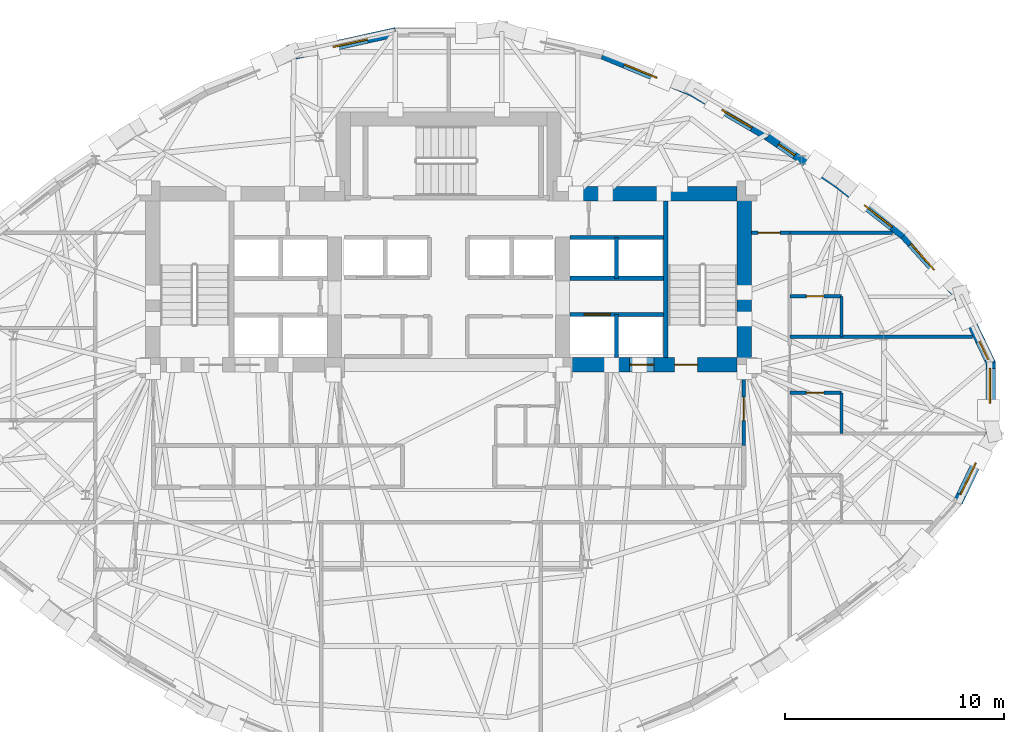
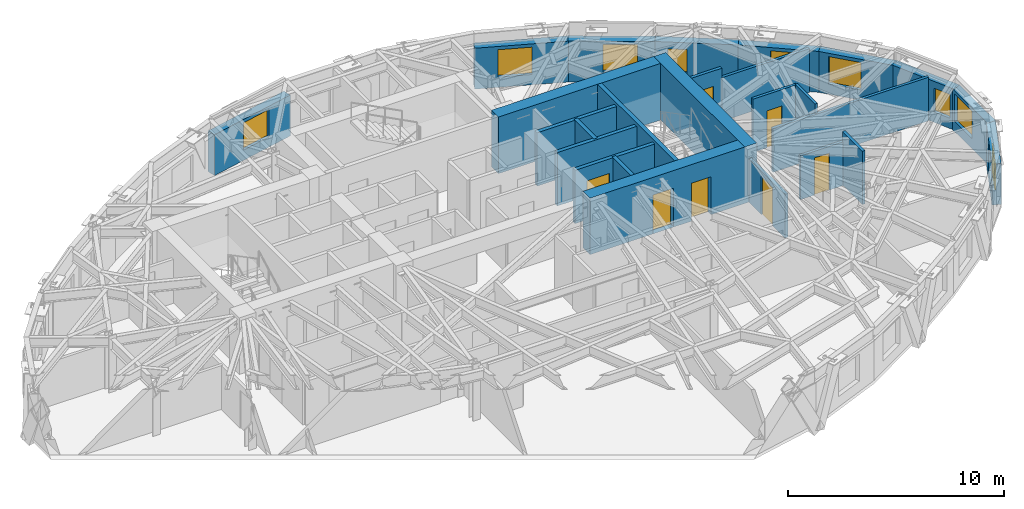
# One storey, part 9 of 14: 26 walls, 9 windows, 7 doors, 16 openings.
"""IFC4 building model written with IfcOpenShell, lengths in metres."""

import ifcopenshell
import ifcopenshell.guid

model = None  # the IFC model being written
_history = None  # IfcOwnerHistory: only IFC2X3 demands one
_inside = {}  # id of a spatial element -> (the spatial element, [elements in it])
_under = {}  # id of a project, library or spatial element -> (it, [spatial elements below it])
_declared = {}  # id of a project -> (the project, [libraries it declares])
_typed = {}  # id of a type object -> (the type object, [elements of that type])
_made_of = {}  # id of a material, layer set ... -> (it, [elements and type objects made of it])


def new_model(schema):
    """Start an empty IFC model of exactly this schema.

    Asked for "IFC4X3", IfcOpenShell would pick the latest addendum, in which some entities
    have other attributes; the version numbers below select the first issue.
    IFC2X3 requires an IfcOwnerHistory on every rooted entity: one is made here for all.
    """
    global model, _history
    if schema == "IFC4X3":
        model = ifcopenshell.file(schema_version=(4, 3, 0, 0))
    else:
        model = ifcopenshell.file(schema=schema)
    _inside.clear()
    _under.clear()
    _declared.clear()
    _typed.clear()
    _made_of.clear()
    _history = None
    if model.schema == "IFC2X3":
        org = make("IfcOrganization", Name="unknown")
        user = make(
            "IfcPersonAndOrganization",
            ThePerson=make("IfcPerson", FamilyName="unknown"),
            TheOrganization=org,
        )
        app = make(
            "IfcApplication",
            ApplicationDeveloper=org,
            Version="unknown",
            ApplicationFullName="unknown",
            ApplicationIdentifier="unknown",
        )
        _history = make(
            "IfcOwnerHistory",
            OwningUser=user,
            OwningApplication=app,
            ChangeAction="ADDED",
            CreationDate=0,
        )
    return model


def make(cls, **values):
    """One entity of the class cls with the attributes given. An attribute that is None is left unset."""
    return model.create_entity(
        cls, **{name: value for name, value in values.items() if value is not None}
    )


def rooted(cls, **values):
    """An entity with a GlobalId (a new one), such as an element, a storey or a relation."""
    return make(cls, GlobalId=ifcopenshell.guid.new(), OwnerHistory=_history, **values)


def si_unit(unit_type, name, prefix=None):
    """IfcSIUnit, for example si_unit("LENGTHUNIT", "METRE", prefix="MILLI")."""
    return make("IfcSIUnit", UnitType=unit_type, Prefix=prefix, Name=name)


def assignment(units):
    """IfcUnitAssignment: the units of a project."""
    return None if units is None else make("IfcUnitAssignment", Units=units)


def point(xyz):
    """IfcCartesianPoint."""
    return None if xyz is None else make("IfcCartesianPoint", Coordinates=xyz)


def direction(xyz):
    """IfcDirection."""
    return None if xyz is None else make("IfcDirection", DirectionRatios=xyz)


def frame(location, z_axis=None, x_axis=None):
    """IfcAxis2Placement3D, a coordinate frame: its origin and axes. An axis left out is left unset."""
    return make(
        "IfcAxis2Placement3D",
        Location=point(location),
        Axis=direction(z_axis),
        RefDirection=direction(x_axis),
    )


def frame_2d(location, x_axis=None):
    """IfcAxis2Placement2D, a coordinate frame in the plane: its origin and x axis."""
    return make(
        "IfcAxis2Placement2D", Location=point(location), RefDirection=direction(x_axis)
    )


def origin():
    """The frame at (0, 0, 0) with its axes left unset."""
    return frame((0.0, 0.0, 0.0))


def place(relative_to, where):
    """IfcLocalPlacement: puts the frame where relative to a parent placement (None: the world)."""
    return make(
        "IfcLocalPlacement", PlacementRelTo=relative_to, RelativePlacement=where
    )


def context(
    kind, dimensions, precision=None, world=None, true_north=None, identifier=None
):
    """IfcGeometricRepresentationContext, for example the 3D "Model" context."""
    return make(
        "IfcGeometricRepresentationContext",
        ContextIdentifier=identifier,
        ContextType=kind,
        CoordinateSpaceDimension=dimensions,
        Precision=precision,
        WorldCoordinateSystem=world,
        TrueNorth=true_north,
    )


def subcontext(parent, identifier, kind, view, scale=None):
    """IfcGeometricRepresentationSubContext, for example "Body" below "Model"."""
    return make(
        "IfcGeometricRepresentationSubContext",
        ContextIdentifier=identifier,
        ContextType=kind,
        ParentContext=parent,
        TargetScale=scale,
        TargetView=view,
    )


def project(units=None, contexts=None):
    """IfcProject with its units and contexts."""
    return rooted(
        "IfcProject",
        Name="project",
        RepresentationContexts=contexts,
        UnitsInContext=assignment(units),
    )


def spatial(cls, under=None, at=None, **own):
    """A site, building, storey or space (cls), placed at a placement, below another one or the project."""
    s = rooted(cls, ObjectPlacement=at, **own)
    if under is not None:
        _under.setdefault(under.id(), (under, []))[1].append(s)
    return s


def profile(cls, at=None, kind="AREA", **sizes):
    """A parametric profile (cls). Its sizes go by their IFC names, for example OverallWidth=200.0."""
    return make(cls, ProfileType=kind, Position=at, **sizes)


def rectangle(**sizes):
    """IfcRectangleProfileDef."""
    return profile("IfcRectangleProfileDef", **sizes)


def extrude(swept, where, along, depth):
    """IfcExtrudedAreaSolid: the profile swept, set in the frame where, extruded along a direction by depth."""
    return make(
        "IfcExtrudedAreaSolid",
        SweptArea=swept,
        Position=where,
        ExtrudedDirection=direction(along),
        Depth=depth,
    )


def shape(context_of_items, identifier, shape_type, items):
    """IfcShapeRepresentation: the items that make up one representation, for example the "Body"."""
    return make(
        "IfcShapeRepresentation",
        ContextOfItems=context_of_items,
        RepresentationIdentifier=identifier,
        RepresentationType=shape_type,
        Items=items,
    )


def material(Name=None, Category=None):
    """IfcMaterial."""
    return make("IfcMaterial", Name=Name, Category=Category)


def layer(
    of_material, thickness, ventilated=None, Name=None, Category=None, Priority=None
):
    """IfcMaterialLayer: one layer of a wall or slab, of a material (None: an air gap)."""
    return make(
        "IfcMaterialLayer",
        Material=of_material,
        LayerThickness=thickness,
        IsVentilated=ventilated,
        Name=Name,
        Category=Category,
        Priority=Priority,
    )


def layer_set(layers, Name=None):
    """IfcMaterialLayerSet."""
    return make("IfcMaterialLayerSet", MaterialLayers=layers, LayerSetName=Name)


def made_of(thing, what):
    """Note that an element or type object is made of a material, layer set ...; save() writes the relation."""
    if what is not None:
        _made_of.setdefault(what.id(), (what, []))[1].append(thing)
    return thing


def type_object(cls, material=None, **own):
    """A type object (cls), such as IfcWallType, which elements share."""
    return made_of(rooted(cls, **own), material)


def element(
    cls,
    number,
    at=None,
    inside=None,
    cuts=None,
    type_object=None,
    material=None,
    context=None,
    identifier="Body",
    shape_type=None,
    held_by="IfcProductDefinitionShape",
    body=None,
    shapes=None,
    **own,
):
    """One element of the class cls, such as IfcWall. Its Tag is "e" and its number.

    at: its placement. inside: the storey or other place that contains it. cuts: it is an
    opening in that element (IfcRelVoidsElement). A single representation is given by context,
    identifier, shape_type and body (its items); several are given by shapes. held_by: the class
    of the entity that holds the representations. save() writes the other relations.
    """
    e = rooted(cls, Tag="e%d" % number, ObjectPlacement=at, **own)
    if body is not None:
        shapes = [shape(context, identifier, shape_type, body)]
    if shapes is not None:
        e.Representation = make(held_by, Representations=shapes)
    if inside is not None:
        _inside.setdefault(inside.id(), (inside, []))[1].append(e)
    if cuts is not None:
        rooted(
            "IfcRelVoidsElement", RelatingBuildingElement=cuts, RelatedOpeningElement=e
        )
    if type_object is not None:
        _typed.setdefault(type_object.id(), (type_object, []))[1].append(e)
    return made_of(e, material)


def fill(opening, filler):
    """IfcRelFillsElement: the door or window that sits in an opening."""
    return rooted(
        "IfcRelFillsElement",
        RelatingOpeningElement=opening,
        RelatedBuildingElement=filler,
    )


def aggregate(whole, parts):
    """IfcRelAggregates: a whole, such as a stair, and the parts it consists of."""
    return rooted("IfcRelAggregates", RelatingObject=whole, RelatedObjects=parts)


def save(model, path):
    """Write the relations noted so far, then the file.

    IfcRelAggregates (storeys below a building ...), IfcRelContainedInSpatialStructure (elements
    in a storey), IfcRelDefinesByType, IfcRelAssociatesMaterial and IfcRelDeclares: one each for
    every whole, place, type object, material and project.
    """
    for whole, parts in _under.values():
        aggregate(whole, parts)
    for where, things in _inside.values():
        rooted(
            "IfcRelContainedInSpatialStructure",
            RelatedElements=things,
            RelatingStructure=where,
        )
    for kind, things in _typed.values():
        rooted("IfcRelDefinesByType", RelatedObjects=things, RelatingType=kind)
    for what, things in _made_of.values():
        rooted("IfcRelAssociatesMaterial", RelatedObjects=things, RelatingMaterial=what)
    for by, libraries in _declared.values():
        rooted("IfcRelDeclares", RelatingContext=by, RelatedDefinitions=libraries)
    model.write(path)


model = new_model("IFC4")

# Units and contexts
model_context = context("Model", 3, precision=1e-05, world=origin(), true_north=direction((0.0, 1.0)))
body_context = subcontext(model_context, "Body", "Model", "MODEL_VIEW")
ifc_project = project(units=[si_unit("LENGTHUNIT", "METRE"), si_unit("AREAUNIT", "SQUARE_METRE"), si_unit("VOLUMEUNIT", "CUBIC_METRE"), si_unit("PLANEANGLEUNIT", "RADIAN"), si_unit("MASSUNIT", "GRAM", prefix="KILO")], contexts=[model_context])

# Site, building, storey
site_placement = place(None, origin())
site = spatial("IfcSite", under=ifc_project, at=site_placement, CompositionType="ELEMENT")
building_placement = place(site_placement, origin())
building = spatial("IfcBuilding", under=site, at=building_placement, Name="Keldmark Tower", CompositionType="ELEMENT")
storey_placement = place(building_placement, frame((0.0, 0.0, 185.39990234375)))
storey = spatial("IfcBuildingStorey", under=building, at=storey_placement, Name="L51", CompositionType="ELEMENT", Elevation=185.39990234375)

# Wall, opening, door
ifc_material_1 = material(Name="Type X Fire-Rated Gypsum Partition Assembly", Category="gypsum")
ifc_layer_1 = layer(ifc_material_1, 0.1650390625)
ifc_layer_set_1 = layer_set([ifc_layer_1], Name="Type X Fire-Rated Gypsum Partition Assembly")
wall_type_1 = type_object("IfcWallType", Name="Rated Partition 165 mm", PredefinedType="PARTITIONING", material=ifc_layer_set_1)
wall_1_placement = place(storey_placement, frame((13.449951171875, -2.14990234375, 0.0), z_axis=(0.0, 0.0, 1.0), x_axis=(0.0, 1.0, 0.0)))
wall_1 = element("IfcWall", 1, at=wall_1_placement, inside=storey, type_object=wall_type_1, Name="L51 Rated Partition 165 mm FSAE-E-E", PredefinedType="PARTITIONING", context=body_context, shape_type="SweptSolid", body=[
    extrude(rectangle(XDim=3.39990234375, YDim=0.1650390625, at=frame_2d((1.699951171875, 0.0))), origin(), (0.0, 0.0, 1.0), 2.47314453125),
])
opening_1_placement = place(wall_1_placement, frame((1.14990234375, 0.0, 0.0)))
opening_1 = element("IfcOpeningElement", 2, at=opening_1_placement, cuts=wall_1, Name="Opening D-FL105", PredefinedType="OPENING", context=body_context, shape_type="SweptSolid", body=[
    extrude(rectangle(XDim=1.050048828125, YDim=2.14990234375, at=frame_2d((0.52490234375, 1.074951171875))), frame((0.0, 0.092529296875, 0.0), z_axis=(0.0, -1.0, 0.0), x_axis=(1.0, 0.0, 0.0)), (0.0, 0.0, 1.0), 0.18505859375),
])
ifc_material_2 = material(Name="Fire-Rated Mineral-Core Door and Vision Lite", Category="metal")
door_type_1 = type_object("IfcDoorType", Name="Fire Lobby Door 1050x2150", OperationType="NOTDEFINED", PredefinedType="DOOR", material=ifc_material_2)
door_1_placement = place(opening_1_placement, origin())
door_1 = element("IfcDoor", 3, at=door_1_placement, inside=storey, type_object=door_type_1, Name="L51 Fire Lobby Door 1050x2150 D-FSAEE-OUT-L51", OperationType="SINGLE_SWING_LEFT", OverallHeight=2.14990234375, OverallWidth=1.050048828125, PredefinedType="DOOR", context=body_context, shape_type="SweptSolid", body=[
    extrude(rectangle(XDim=1.050048828125, YDim=2.14990234375, at=frame_2d((0.52490234375, 1.074951171875))), frame((0.0, 0.02490234375, 0.0), z_axis=(0.0, -1.0, 0.0), x_axis=(1.0, 0.0, 0.0)), (0.0, 0.0, 1.0), 0.050048828125),
])
fill(opening_1, door_1)

wall_2_placement = place(storey_placement, frame((13.800048828125, 7.550048828125, 0.0), z_axis=(0.0, 0.0, 1.0), x_axis=(1.0, 0.0, 0.0)))
wall_2 = element("IfcWall", 4, at=wall_2_placement, inside=storey, type_object=wall_type_1, Name="L51 Rated Partition 165 mm HCOR-EN", PredefinedType="PARTITIONING", context=body_context, shape_type="SweptSolid", body=[
    extrude(rectangle(XDim=1.75, YDim=0.1650390625, at=frame_2d((0.875, 0.0))), origin(), (0.0, 0.0, 1.0), 3.02001953125),
])
opening_2_placement = place(wall_2_placement, frame((0.300048828125, 0.0, 0.0)))
opening_2 = element("IfcOpeningElement", 5, at=opening_2_placement, cuts=wall_2, Name="Opening D-FD100", PredefinedType="OPENING", context=body_context, shape_type="SweptSolid", body=[
    extrude(rectangle(XDim=1.0, YDim=2.14990234375, at=frame_2d((0.5, 1.074951171875))), frame((0.0, 0.092529296875, 0.0), z_axis=(0.0, -1.0, 0.0), x_axis=(1.0, 0.0, 0.0)), (0.0, 0.0, 1.0), 0.18505859375),
])
ifc_material_3 = material(Name="Hollow Metal Fire-Rated Corridor Door", Category="metal")
door_type_2 = type_object("IfcDoorType", Name="Fire Door 1000x2150", OperationType="NOTDEFINED", PredefinedType="DOOR", material=ifc_material_3)
door_2_placement = place(opening_2_placement, origin())
door_2 = element("IfcDoor", 6, at=door_2_placement, inside=storey, type_object=door_type_2, Name="L51 Fire Door 1000x2150 D-HNNE-L51", OperationType="SINGLE_SWING_RIGHT", OverallHeight=2.14990234375, OverallWidth=1.0, PredefinedType="DOOR", context=body_context, shape_type="SweptSolid", body=[
    extrude(rectangle(XDim=1.0, YDim=2.14990234375, at=frame_2d((0.5, 1.074951171875))), frame((0.0, 0.02490234375, 0.0), z_axis=(0.0, -1.0, 0.0), x_axis=(1.0, 0.0, 0.0)), (0.0, 0.0, 1.0), 0.050048828125),
])
fill(opening_2, door_2)

ifc_material_4 = material(Name="Fire-Resistant Type X Gypsum Shaftliner Coreboard", Category="gypsum")
ifc_layer_2 = layer(ifc_material_4, 0.199951171875)
ifc_layer_set_2 = layer_set([ifc_layer_2], Name="Fire-Resistant Type X Gypsum Shaftliner Coreboard")
wall_type_2 = type_object("IfcWallType", Name="Shaft Wall 200 mm", PredefinedType="SOLIDWALL", material=ifc_layer_set_2)
wall_3_placement = place(storey_placement, frame((5.52490234375, 3.820068359375, 0.0), z_axis=(0.0, 0.0, 1.0), x_axis=(1.0, 0.0, 0.0)))
wall_3 = element("IfcWall", 7, at=wall_3_placement, inside=storey, type_object=wall_type_2, Name="L51 Shaft Wall 200 mm HW-E-S", PredefinedType="SOLIDWALL", context=body_context, shape_type="SweptSolid", body=[
    extrude(rectangle(XDim=4.255126953125, YDim=0.199951171875, at=frame_2d((2.12744140625, 0.0))), origin(), (0.0, 0.0, 1.0), 3.02001953125),
])
opening_3_placement = place(wall_3_placement, frame((0.64990234375, 0.0, 0.0)))
opening_3 = element("IfcOpeningElement", 8, at=opening_3_placement, cuts=wall_3, Name="Opening LD-120", PredefinedType="OPENING", context=body_context, shape_type="SweptSolid", body=[
    extrude(rectangle(XDim=1.199951171875, YDim=2.199951171875, at=frame_2d((0.60009765625, 1.10009765625))), frame((0.0, 0.10986328125, 0.0), z_axis=(0.0, -1.0, 0.0), x_axis=(1.0, 0.0, 0.0)), (0.0, 0.0, 1.0), 0.219970703125),
])
ifc_material_5 = material(Name="Heavy-Duty Brushed Metal Hoistway Sliding Leaf", Category="metal")
door_type_3 = type_object("IfcDoorType", Name="Service Lift Sliding Door 1200x2200", OperationType="SLIDING_TO_RIGHT", PredefinedType="DOOR", material=ifc_material_5)
door_3_placement = place(opening_3_placement, origin())
door_3 = element("IfcDoor", 9, at=door_3_placement, inside=storey, type_object=door_type_3, Name="L51 Service Lift Sliding Door 1200x2200 LD-EL-SV1-L51", OperationType="SLIDING_TO_RIGHT", OverallHeight=2.199951171875, OverallWidth=1.199951171875, PredefinedType="DOOR", context=body_context, shape_type="SweptSolid", body=[
    extrude(rectangle(XDim=1.199951171875, YDim=2.199951171875, at=frame_2d((0.60009765625, 1.10009765625))), frame((0.0, 0.02490234375, 0.0), z_axis=(0.0, -1.0, 0.0), x_axis=(1.0, 0.0, 0.0)), (0.0, 0.0, 1.0), 0.050048828125),
])
fill(opening_3, door_3)

# Walls
wall_4_placement = place(storey_placement, frame((7.64990234375, 1.85009765625, 0.0), z_axis=(0.0, 0.0, 1.0), x_axis=(0.0, 1.0, 0.0)))
element("IfcWall", 10, at=wall_4_placement, inside=storey, type_object=wall_type_2, Name="L51 Shaft Wall 200 mm HW-E-M", PredefinedType="SOLIDWALL", context=body_context, shape_type="SweptSolid", body=[
    extrude(rectangle(XDim=1.969970703125, YDim=0.199951171875, at=frame_2d((0.98486328125, 0.0))), origin(), (0.0, 0.0, 1.0), 3.02001953125),
])
for number, where, z_axis, x_axis, name in (
    (11, (5.52490234375, 5.469970703125, 0.0), (0.0, 0.0, 1.0), (1.0, 0.0, 0.0), "L51 Shaft Wall 200 mm HW-E-N"),
    (12, (5.52490234375, 7.330078125, 0.0), (0.0, 0.0, 1.0), (1.0, 0.0, 0.0), "L51 Shaft Wall 200 mm HW-E-TOP"),
):
    element("IfcWall", number, at=place(storey_placement, frame(where, z_axis=z_axis, x_axis=x_axis)), inside=storey, type_object=wall_type_2, Name=name, PredefinedType="SOLIDWALL", context=body_context, shape_type="SweptSolid", body=[
        extrude(rectangle(XDim=4.255126953125, YDim=0.199951171875, at=frame_2d((2.12744140625, 0.0))), origin(), (0.0, 0.0, 1.0), 3.02001953125),
    ])
wall_5_placement = place(storey_placement, frame((7.64990234375, 5.469970703125, 0.0), z_axis=(0.0, 0.0, 1.0), x_axis=(0.0, 1.0, 0.0)))
element("IfcWall", 13, at=wall_5_placement, inside=storey, type_object=wall_type_2, Name="L51 Shaft Wall 200 mm HW-E-NM", PredefinedType="SOLIDWALL", context=body_context, shape_type="SweptSolid", body=[
    extrude(rectangle(XDim=1.860107421875, YDim=0.199951171875, at=frame_2d((0.93017578125, 0.0))), origin(), (0.0, 0.0, 1.0), 3.02001953125),
])
ifc_material_6 = material(Name="Concrete C50/60", Category="concrete")
ifc_layer_3 = layer(ifc_material_6, 0.219970703125)
ifc_layer_set_3 = layer_set([ifc_layer_3], Name="Concrete C50/60")
wall_type_3 = type_object("IfcWallType", Name="Stair Core Shear Wall 220 mm", PredefinedType="SHEAR", material=ifc_layer_set_3)
wall_6_placement = place(storey_placement, frame((9.889892578125, 1.85009765625, 0.0), z_axis=(0.0, 0.0, 1.0), x_axis=(0.0, 1.0, 0.0)))
element("IfcWall", 14, at=wall_6_placement, inside=storey, type_object=wall_type_3, Name="L51 East Stair Core Shear Wall", PredefinedType="SHEAR", context=body_context, shape_type="SweptSolid", body=[
    extrude(rectangle(XDim=7.14990234375, YDim=0.219970703125, at=frame_2d((3.574951171875, 0.0))), origin(), (0.0, 0.0, 1.0), 3.2001953125),
])

# Wall, opening, window
ifc_material_7 = material(Name="Ironspot Manganese Brick and Kasota Buff Limestone Spandrel Assembly", Category="masonry")
ifc_layer_4 = layer(ifc_material_7, 0.43994140625)
ifc_layer_set_4 = layer_set([ifc_layer_4], Name="Ironspot Manganese Brick and Kasota Buff Limestone Spandrel Assembly")
wall_type_4 = type_object("IfcWallType", Name="Tower Brick Pier and Spandrel Wall 440 mm", PredefinedType="STANDARD", material=ifc_layer_set_4)
wall_7_placement = place(storey_placement, frame((23.21240234375, 4.718994140625, 0.0), z_axis=(0.0, 0.0, 1.0), x_axis=(0.43276286683, -0.90150779314, 0.0)))
wall_7 = element("IfcWall", 15, at=wall_7_placement, inside=storey, type_object=wall_type_4, Name="L51 Exterior Brick and Spandrel Wall 01", PredefinedType="STANDARD", context=body_context, shape_type="SweptSolid", body=[
    extrude(rectangle(XDim=3.494384765625, YDim=0.43994140625, at=frame_2d((1.7470703125, 0.0))), origin(), (0.0, 0.0, 1.0), 2.315185546875),
])
opening_4_placement = place(wall_7_placement, frame((2.344482421875, 0.0, 0.580078125)))
opening_4 = element("IfcOpeningElement", 16, at=opening_4_placement, cuts=wall_7, Name="Opening W-09", PredefinedType="OPENING", context=body_context, shape_type="SweptSolid", body=[
    extrude(rectangle(XDim=0.89990234375, YDim=1.35009765625, at=frame_2d((0.449951171875, 0.675048828125))), frame((0.0, 0.22998046875, 0.0), z_axis=(0.0, -1.0, 0.0), x_axis=(1.0, 0.0, 0.0)), (0.0, 0.0, 1.0), 0.4599609375),
])
ifc_material_8 = material(Name="Thermally Broken Anodized Aluminum and Triple Low-E Argon Glazing", Category="aluminium")
window_type_1 = type_object("IfcWindowType", Name="Corner Pier Deep-Set Window 900x1350", PartitioningType="SINGLE_PANEL", PredefinedType="WINDOW", material=ifc_material_8)
window_1_placement = place(opening_4_placement, origin())
window_1 = element("IfcWindow", 17, at=window_1_placement, inside=storey, type_object=window_type_1, Name="L51 Deep-Set Window 01", OverallHeight=1.35009765625, OverallWidth=0.89990234375, PartitioningType="SINGLE_PANEL", PredefinedType="WINDOW", context=body_context, shape_type="SweptSolid", body=[
    extrude(rectangle(XDim=0.89990234375, YDim=1.35009765625, at=frame_2d((0.449951171875, 0.675048828125))), frame((0.0, -0.010009765625, 0.0), z_axis=(0.0, -1.0, 0.0), x_axis=(1.0, 0.0, 0.0)), (0.0, 0.0, 1.0), 0.06005859375),
])
fill(opening_4, window_1)

wall_8_placement = place(storey_placement, frame((20.75927734375, 7.4345703125, 0.0), z_axis=(0.0, 0.0, 1.0), x_axis=(0.668547778607, -0.743669192396, 0.0)))
wall_8 = element("IfcWall", 18, at=wall_8_placement, inside=storey, type_object=wall_type_4, Name="L51 Exterior Brick and Spandrel Wall 02", PredefinedType="STANDARD", context=body_context, shape_type="SweptSolid", body=[
    extrude(rectangle(XDim=3.72119140625, YDim=0.43994140625, at=frame_2d((1.860595703125, 0.0))), origin(), (0.0, 0.0, 1.0), 2.315185546875),
])
opening_5_placement = place(wall_8_placement, frame((0.4951171875, 0.0, 0.580078125)))
opening_5 = element("IfcOpeningElement", 19, at=opening_5_placement, cuts=wall_8, Name="Opening W-04", PredefinedType="OPENING", context=body_context, shape_type="SweptSolid", body=[
    extrude(rectangle(XDim=1.60009765625, YDim=1.550048828125, at=frame_2d((0.800048828125, 0.77490234375))), frame((0.0, 0.22998046875, 0.0), z_axis=(0.0, -1.0, 0.0), x_axis=(1.0, 0.0, 0.0)), (0.0, 0.0, 1.0), 0.4599609375),
])
ifc_material_9 = material(Name="Thermally Broken Anodized Aluminum and Triple Low-E Argon Glazing", Category="aluminium")
window_type_2 = type_object("IfcWindowType", Name="Hotel Deep-Set Operable Window 1600x1550", PartitioningType="DOUBLE_PANEL_HORIZONTAL", PredefinedType="WINDOW", material=ifc_material_9)
window_2_placement = place(opening_5_placement, origin())
window_2 = element("IfcWindow", 20, at=window_2_placement, inside=storey, type_object=window_type_2, Name="L51 Deep-Set Window 02", OverallHeight=1.550048828125, OverallWidth=1.60009765625, PartitioningType="SINGLE_PANEL", PredefinedType="WINDOW", context=body_context, shape_type="SweptSolid", body=[
    extrude(rectangle(XDim=1.60009765625, YDim=1.550048828125, at=frame_2d((0.800048828125, 0.77490234375))), frame((0.0, -0.010009765625, 0.0), z_axis=(0.0, -1.0, 0.0), x_axis=(1.0, 0.0, 0.0)), (0.0, 0.0, 1.0), 0.06005859375),
])
fill(opening_5, window_2)

wall_9_placement = place(storey_placement, frame((17.755615234375, 9.78076171875, 0.0), z_axis=(0.0, 0.0, 1.0), x_axis=(0.787518383176, -0.616291161838, 0.0)))
wall_9 = element("IfcWall", 21, at=wall_9_placement, inside=storey, type_object=wall_type_4, Name="L51 Exterior Brick and Spandrel Wall 03", PredefinedType="STANDARD", context=body_context, shape_type="SweptSolid", body=[
    extrude(rectangle(XDim=3.849853515625, YDim=0.43994140625, at=frame_2d((1.9248046875, 0.0))), origin(), (0.0, 0.0, 1.0), 2.315185546875),
])
opening_6_placement = place(wall_9_placement, frame((1.5498046875, 0.0, 0.580078125)))
opening_6 = element("IfcOpeningElement", 22, at=opening_6_placement, cuts=wall_9, Name="Opening W-04", PredefinedType="OPENING", context=body_context, shape_type="SweptSolid", body=[
    extrude(rectangle(XDim=1.60009765625, YDim=1.550048828125, at=frame_2d((0.800048828125, 0.77490234375))), frame((0.0, 0.22998046875, 0.0), z_axis=(0.0, -1.0, 0.0), x_axis=(1.0, 0.0, 0.0)), (0.0, 0.0, 1.0), 0.4599609375),
])
window_3_placement = place(opening_6_placement, origin())
window_3 = element("IfcWindow", 23, at=window_3_placement, inside=storey, type_object=window_type_2, Name="L51 Deep-Set Window 03", OverallHeight=1.550048828125, OverallWidth=1.60009765625, PartitioningType="SINGLE_PANEL", PredefinedType="WINDOW", context=body_context, shape_type="SweptSolid", body=[
    extrude(rectangle(XDim=1.60009765625, YDim=1.550048828125, at=frame_2d((0.800048828125, 0.77490234375))), frame((0.0, -0.010009765625, 0.0), z_axis=(0.0, -1.0, 0.0), x_axis=(1.0, 0.0, 0.0)), (0.0, 0.0, 1.0), 0.06005859375),
])
fill(opening_6, window_3)

wall_10_placement = place(storey_placement, frame((14.5595703125, 11.94677734375, 0.0), z_axis=(0.0, 0.0, 1.0), x_axis=(0.82774221662, -0.561108565988, 0.0)))
wall_10 = element("IfcWall", 24, at=wall_10_placement, inside=storey, type_object=wall_type_4, Name="L51 Exterior Brick and Spandrel Wall 04", PredefinedType="STANDARD", context=body_context, shape_type="SweptSolid", body=[
    extrude(rectangle(XDim=3.8759765625, YDim=0.43994140625, at=frame_2d((1.93798828125, 0.0))), origin(), (0.0, 0.0, 1.0), 2.315185546875),
])
opening_7_placement = place(wall_10_placement, frame((0.59619140625, 0.0, 0.580078125)))
opening_7 = element("IfcOpeningElement", 25, at=opening_7_placement, cuts=wall_10, Name="Opening W-09", PredefinedType="OPENING", context=body_context, shape_type="SweptSolid", body=[
    extrude(rectangle(XDim=0.89990234375, YDim=1.35009765625, at=frame_2d((0.449951171875, 0.675048828125))), frame((0.0, 0.22998046875, 0.0), z_axis=(0.0, -1.0, 0.0), x_axis=(1.0, 0.0, 0.0)), (0.0, 0.0, 1.0), 0.4599609375),
])
window_4_placement = place(opening_7_placement, origin())
window_4 = element("IfcWindow", 26, at=window_4_placement, inside=storey, type_object=window_type_1, Name="L51 Deep-Set Window 04", OverallHeight=1.35009765625, OverallWidth=0.89990234375, PartitioningType="SINGLE_PANEL", PredefinedType="WINDOW", context=body_context, shape_type="SweptSolid", body=[
    extrude(rectangle(XDim=0.89990234375, YDim=1.35009765625, at=frame_2d((0.449951171875, 0.675048828125))), frame((0.0, -0.010009765625, 0.0), z_axis=(0.0, -1.0, 0.0), x_axis=(1.0, 0.0, 0.0)), (0.0, 0.0, 1.0), 0.06005859375),
])
fill(opening_7, window_4)

wall_11_placement = place(storey_placement, frame((11.072021484375, 13.99462890625, 0.0), z_axis=(0.0, 0.0, 1.0), x_axis=(0.862269598443, -0.506449542995, 0.0)))
wall_11 = element("IfcWall", 27, at=wall_11_placement, inside=storey, type_object=wall_type_4, Name="L51 Exterior Brick and Spandrel Wall 05", PredefinedType="STANDARD", context=body_context, shape_type="SweptSolid", body=[
    extrude(rectangle(XDim=4.05859375, YDim=0.43994140625, at=frame_2d((2.029296875, 0.0))), origin(), (0.0, 0.0, 1.0), 2.315185546875),
])
opening_8_placement = place(wall_11_placement, frame((1.621337890625, 0.0, 0.580078125)))
opening_8 = element("IfcOpeningElement", 28, at=opening_8_placement, cuts=wall_11, Name="Opening W-04", PredefinedType="OPENING", context=body_context, shape_type="SweptSolid", body=[
    extrude(rectangle(XDim=1.60009765625, YDim=1.550048828125, at=frame_2d((0.800048828125, 0.77490234375))), frame((0.0, 0.22998046875, 0.0), z_axis=(0.0, -1.0, 0.0), x_axis=(1.0, 0.0, 0.0)), (0.0, 0.0, 1.0), 0.4599609375),
])
window_5_placement = place(opening_8_placement, origin())
window_5 = element("IfcWindow", 29, at=window_5_placement, inside=storey, type_object=window_type_2, Name="L51 Deep-Set Window 05", OverallHeight=1.550048828125, OverallWidth=1.60009765625, PartitioningType="SINGLE_PANEL", PredefinedType="WINDOW", context=body_context, shape_type="SweptSolid", body=[
    extrude(rectangle(XDim=1.60009765625, YDim=1.550048828125, at=frame_2d((0.800048828125, 0.77490234375))), frame((0.0, -0.010009765625, 0.0), z_axis=(0.0, -1.0, 0.0), x_axis=(1.0, 0.0, 0.0)), (0.0, 0.0, 1.0), 0.06005859375),
])
fill(opening_8, window_5)

wall_12_placement = place(storey_placement, frame((7.017578125, 15.66748046875, 0.0), z_axis=(0.0, 0.0, 1.0), x_axis=(0.924224109839, -0.381850487486, 0.0)))
wall_12 = element("IfcWall", 30, at=wall_12_placement, inside=storey, type_object=wall_type_4, Name="L51 Exterior Brick and Spandrel Wall 06", PredefinedType="STANDARD", context=body_context, shape_type="SweptSolid", body=[
    extrude(rectangle(XDim=4.416748046875, YDim=0.43994140625, at=frame_2d((2.20849609375, 0.0))), origin(), (0.0, 0.0, 1.0), 2.315185546875),
])
opening_9_placement = place(wall_12_placement, frame((1.087646484375, 0.0, 0.580078125)))
opening_9 = element("IfcOpeningElement", 31, at=opening_9_placement, cuts=wall_12, Name="Opening W-04", PredefinedType="OPENING", context=body_context, shape_type="SweptSolid", body=[
    extrude(rectangle(XDim=1.60009765625, YDim=1.550048828125, at=frame_2d((0.800048828125, 0.77490234375))), frame((0.0, 0.22998046875, 0.0), z_axis=(0.0, -1.0, 0.0), x_axis=(1.0, 0.0, 0.0)), (0.0, 0.0, 1.0), 0.4599609375),
])
window_6_placement = place(opening_9_placement, origin())
window_6 = element("IfcWindow", 32, at=window_6_placement, inside=storey, type_object=window_type_2, Name="L51 Deep-Set Window 06", OverallHeight=1.550048828125, OverallWidth=1.60009765625, PartitioningType="SINGLE_PANEL", PredefinedType="WINDOW", context=body_context, shape_type="SweptSolid", body=[
    extrude(rectangle(XDim=1.60009765625, YDim=1.550048828125, at=frame_2d((0.800048828125, 0.77490234375))), frame((0.0, -0.010009765625, 0.0), z_axis=(0.0, -1.0, 0.0), x_axis=(1.0, 0.0, 0.0)), (0.0, 0.0, 1.0), 0.06005859375),
])
fill(opening_9, window_6)

wall_13_placement = place(storey_placement, frame((-7.05419921875, 15.656005859375, 0.0), z_axis=(0.0, 0.0, 1.0), x_axis=(0.976520281828, 0.215425484049, 0.0)))
wall_13 = element("IfcWall", 33, at=wall_13_placement, inside=storey, type_object=wall_type_4, Name="L51 Exterior Brick and Spandrel Wall 09", PredefinedType="STANDARD", context=body_context, shape_type="SweptSolid", body=[
    extrude(rectangle(XDim=4.7587890625, YDim=0.43994140625, at=frame_2d((2.37939453125, 0.0))), origin(), (0.0, 0.0, 1.0), 2.315185546875),
])
opening_10_placement = place(wall_13_placement, frame((1.82568359375, 0.0, 0.580078125)))
opening_10 = element("IfcOpeningElement", 34, at=opening_10_placement, cuts=wall_13, Name="Opening W-04", PredefinedType="OPENING", context=body_context, shape_type="SweptSolid", body=[
    extrude(rectangle(XDim=1.60009765625, YDim=1.550048828125, at=frame_2d((0.800048828125, 0.77490234375))), frame((0.0, 0.22998046875, 0.0), z_axis=(0.0, -1.0, 0.0), x_axis=(1.0, 0.0, 0.0)), (0.0, 0.0, 1.0), 0.4599609375),
])
window_7_placement = place(opening_10_placement, origin())
window_7 = element("IfcWindow", 35, at=window_7_placement, inside=storey, type_object=window_type_2, Name="L51 Deep-Set Window 09", OverallHeight=1.550048828125, OverallWidth=1.60009765625, PartitioningType="SINGLE_PANEL", PredefinedType="WINDOW", context=body_context, shape_type="SweptSolid", body=[
    extrude(rectangle(XDim=1.60009765625, YDim=1.550048828125, at=frame_2d((0.800048828125, 0.77490234375))), frame((0.0, -0.010009765625, 0.0), z_axis=(0.0, -1.0, 0.0), x_axis=(1.0, 0.0, 0.0)), (0.0, 0.0, 1.0), 0.06005859375),
])
fill(opening_10, window_7)

wall_14_placement = place(storey_placement, frame((24.724609375, -1.56884765625, 0.0), z_axis=(0.0, 0.0, 1.0), x_axis=(-0.43276286683, -0.90150779314, 0.0)))
wall_14 = element("IfcWall", 36, at=wall_14_placement, inside=storey, type_object=wall_type_4, Name="L51 Exterior Brick and Spandrel Wall 31", PredefinedType="STANDARD", context=body_context, shape_type="SweptSolid", body=[
    extrude(rectangle(XDim=3.494384765625, YDim=0.43994140625, at=frame_2d((1.7470703125, 0.0))), origin(), (0.0, 0.0, 1.0), 2.315185546875),
])
opening_11_placement = place(wall_14_placement, frame((1.544921875, 0.0, 0.580078125)))
opening_11 = element("IfcOpeningElement", 37, at=opening_11_placement, cuts=wall_14, Name="Opening W-04", PredefinedType="OPENING", context=body_context, shape_type="SweptSolid", body=[
    extrude(rectangle(XDim=1.60009765625, YDim=1.550048828125, at=frame_2d((0.800048828125, 0.77490234375))), frame((0.0, 0.22998046875, 0.0), z_axis=(0.0, -1.0, 0.0), x_axis=(1.0, 0.0, 0.0)), (0.0, 0.0, 1.0), 0.4599609375),
])
window_8_placement = place(opening_11_placement, origin())
window_8 = element("IfcWindow", 38, at=window_8_placement, inside=storey, type_object=window_type_2, Name="L51 Deep-Set Window 31", OverallHeight=1.550048828125, OverallWidth=1.60009765625, PartitioningType="SINGLE_PANEL", PredefinedType="WINDOW", context=body_context, shape_type="SweptSolid", body=[
    extrude(rectangle(XDim=1.60009765625, YDim=1.550048828125, at=frame_2d((0.800048828125, 0.77490234375))), frame((0.0, -0.010009765625, 0.0), z_axis=(0.0, -1.0, 0.0), x_axis=(1.0, 0.0, 0.0)), (0.0, 0.0, 1.0), 0.06005859375),
])
fill(opening_11, window_8)

wall_15_placement = place(storey_placement, frame((24.702880859375, 1.6640625, 0.0), z_axis=(0.0, 0.0, 1.0), x_axis=(0.0, -1.0, 0.0)))
wall_15 = element("IfcWall", 39, at=wall_15_placement, inside=storey, type_object=wall_type_4, Name="L51 Exterior Brick and Spandrel Wall 32", PredefinedType="STANDARD", context=body_context, shape_type="SweptSolid", body=[
    extrude(rectangle(XDim=3.328125, YDim=0.43994140625, at=frame_2d((1.6640625, 0.0))), origin(), (0.0, 0.0, 1.0), 2.315185546875),
])
opening_12_placement = place(wall_15_placement, frame((0.29833984375, 0.0, 0.580078125)))
opening_12 = element("IfcOpeningElement", 40, at=opening_12_placement, cuts=wall_15, Name="Opening W-04", PredefinedType="OPENING", context=body_context, shape_type="SweptSolid", body=[
    extrude(rectangle(XDim=1.60009765625, YDim=1.550048828125, at=frame_2d((0.800048828125, 0.77490234375))), frame((0.0, 0.22998046875, 0.0), z_axis=(0.0, -1.0, 0.0), x_axis=(1.0, 0.0, 0.0)), (0.0, 0.0, 1.0), 0.4599609375),
])
window_9_placement = place(opening_12_placement, origin())
window_9 = element("IfcWindow", 41, at=window_9_placement, inside=storey, type_object=window_type_2, Name="L51 Deep-Set Window 32", OverallHeight=1.550048828125, OverallWidth=1.60009765625, PartitioningType="SINGLE_PANEL", PredefinedType="WINDOW", context=body_context, shape_type="SweptSolid", body=[
    extrude(rectangle(XDim=1.60009765625, YDim=1.550048828125, at=frame_2d((0.800048828125, 0.77490234375))), frame((0.0, -0.010009765625, 0.0), z_axis=(0.0, -1.0, 0.0), x_axis=(1.0, 0.0, 0.0)), (0.0, 0.0, 1.0), 0.06005859375),
])
fill(opening_12, window_9)

# Walls
ifc_material_10 = material(Name="Concrete C50/60", Category="concrete")
ifc_layer_5 = layer(ifc_material_10, 0.64990234375)
ifc_layer_set_5 = layer_set([ifc_layer_5], Name="Concrete C50/60")
wall_type_5 = type_object("IfcWallType", Name="Upper-Mid Core Shear Wall 650 mm", PredefinedType="SHEAR", material=ifc_layer_set_5)
wall_16_placement = place(storey_placement, frame((13.47509765625, 1.199951171875, 0.0), z_axis=(0.0, 0.0, 1.0), x_axis=(0.0, 1.0, 0.0)))
element("IfcWall", 42, at=wall_16_placement, inside=storey, type_object=wall_type_5, Name="L51 East Core Outer Shear Wall", PredefinedType="SHEAR", context=body_context, shape_type="SweptSolid", body=[
    extrude(rectangle(XDim=8.449951171875, YDim=0.64990234375, at=frame_2d((4.22509765625, 0.0))), origin(), (0.0, 0.0, 1.0), 3.2001953125),
])
wall_17_placement = place(storey_placement, frame((4.47509765625, 9.324951171875, 0.0), z_axis=(0.0, 0.0, 1.0), x_axis=(1.0, 0.0, 0.0)))
element("IfcWall", 43, at=wall_17_placement, inside=storey, type_object=wall_type_5, Name="L51 East Core North Shear Wall", PredefinedType="SHEAR", context=body_context, shape_type="SweptSolid", body=[
    extrude(rectangle(XDim=9.324951171875, YDim=0.64990234375, at=frame_2d((4.66259765625, 0.0))), origin(), (0.0, 0.0, 1.0), 3.2001953125),
])

# Wall, openings, doors
wall_18_placement = place(storey_placement, frame((13.800048828125, 1.52490234375, 0.0), z_axis=(0.0, 0.0, 1.0), x_axis=(-1.0, 0.0, 0.0)))
wall_18 = element("IfcWall", 44, at=wall_18_placement, inside=storey, type_object=wall_type_5, Name="L51 East Core South Shear Wall", PredefinedType="SHEAR", context=body_context, shape_type="SweptSolid", body=[
    extrude(rectangle(XDim=8.925048828125, YDim=0.64990234375, at=frame_2d((4.46240234375, 0.0))), origin(), (0.0, 0.0, 1.0), 3.2001953125),
])
opening_13_placement = place(wall_18_placement, frame((2.449951171875, 0.0, 0.0)))
opening_13 = element("IfcOpeningElement", 45, at=opening_13_placement, cuts=wall_18, Name="Opening D-ST105", PredefinedType="OPENING", context=body_context, shape_type="SweptSolid", body=[
    extrude(rectangle(XDim=1.050048828125, YDim=2.14990234375, at=frame_2d((0.52490234375, 1.074951171875))), frame((0.0, 0.3349609375, 0.0), z_axis=(0.0, -1.0, 0.0), x_axis=(1.0, 0.0, 0.0)), (0.0, 0.0, 1.0), 0.669921875),
])
opening_14_placement = place(wall_18_placement, frame((4.449951171875, 0.0, 0.0)))
opening_14 = element("IfcOpeningElement", 46, at=opening_14_placement, cuts=wall_18, Name="Opening LD-110", PredefinedType="OPENING", context=body_context, shape_type="SweptSolid", body=[
    extrude(rectangle(XDim=1.10009765625, YDim=2.199951171875, at=frame_2d((0.550048828125, 1.10009765625))), frame((0.0, 0.3349609375, 0.0), z_axis=(0.0, -1.0, 0.0), x_axis=(1.0, 0.0, 0.0)), (0.0, 0.0, 1.0), 0.669921875),
])
ifc_material_11 = material(Name="Brushed Bronze Hoistway Sliding Leaf", Category="metal")
door_type_4 = type_object("IfcDoorType", Name="Lift Landing Sliding Door 1100x2200", OperationType="SLIDING_TO_LEFT", PredefinedType="DOOR", material=ifc_material_11)
door_4_placement = place(opening_14_placement, origin())
door_4 = element("IfcDoor", 47, at=door_4_placement, inside=storey, type_object=door_type_4, Name="L51 Lift Landing Sliding Door 1100x2200 LD-EL-FS2-L51", OperationType="SLIDING_TO_LEFT", OverallHeight=2.199951171875, OverallWidth=1.10009765625, PredefinedType="DOOR", context=body_context, shape_type="SweptSolid", body=[
    extrude(rectangle(XDim=1.10009765625, YDim=2.199951171875, at=frame_2d((0.550048828125, 1.10009765625))), frame((0.0, 0.02490234375, 0.0), z_axis=(0.0, -1.0, 0.0), x_axis=(1.0, 0.0, 0.0)), (0.0, 0.0, 1.0), 0.050048828125),
])
fill(opening_14, door_4)
ifc_material_12 = material(Name="Hollow Metal Fire-Rated Door Assembly", Category="metal")
door_type_5 = type_object("IfcDoorType", Name="Stair Fire Door 1050x2150", OperationType="NOTDEFINED", PredefinedType="DOOR", material=ifc_material_12)
door_5_placement = place(opening_13_placement, origin())
door_5 = element("IfcDoor", 48, at=door_5_placement, inside=storey, type_object=door_type_5, Name="L51 Stair Fire Door 1050x2150 D-ST2-L51", OperationType="SINGLE_SWING_LEFT", OverallHeight=2.14990234375, OverallWidth=1.050048828125, PredefinedType="DOOR", context=body_context, shape_type="SweptSolid", body=[
    extrude(rectangle(XDim=1.050048828125, YDim=2.14990234375, at=frame_2d((0.52490234375, 1.074951171875))), frame((0.0, 0.02490234375, 0.0), z_axis=(0.0, -1.0, 0.0), x_axis=(1.0, 0.0, 0.0)), (0.0, 0.0, 1.0), 0.050048828125),
])
fill(opening_13, door_5)

# Walls
ifc_material_13 = material(Name="Moisture-Resistant Gypsum Plumbing Partition", Category="gypsum")
ifc_layer_6 = layer(ifc_material_13, 0.14990234375)
ifc_layer_set_6 = layer_set([ifc_layer_6], Name="Moisture-Resistant Gypsum Plumbing Partition")
wall_type_6 = type_object("IfcWallType", Name="Wet Wall 150 mm", PredefinedType="PLUMBINGWALL", material=ifc_layer_set_6)
wall_19_placement = place(storey_placement, frame((15.550048828125, 7.550048828125, 0.0), z_axis=(0.0, 0.0, 1.0), x_axis=(1.0, 0.0, 0.0)))
element("IfcWall", 49, at=wall_19_placement, inside=storey, type_object=wall_type_6, Name="L51 Wet Wall 150 mm HE-CAP-N", PredefinedType="PLUMBINGWALL", context=body_context, shape_type="SweptSolid", body=[
    extrude(rectangle(XDim=4.686279296875, YDim=0.14990234375, at=frame_2d((2.34326171875, 0.0))), origin(), (0.0, 0.0, 1.0), 2.47314453125),
])
wall_20_placement = place(storey_placement, frame((15.550048828125, 2.800048828125, 0.0), z_axis=(0.0, 0.0, 1.0), x_axis=(1.0, 0.0, 0.0)))
element("IfcWall", 50, at=wall_20_placement, inside=storey, type_object=wall_type_6, Name="L51 Wet Wall 150 mm HE-DIV-2", PredefinedType="PLUMBINGWALL", context=body_context, shape_type="SweptSolid", body=[
    extrude(rectangle(XDim=8.33056640625, YDim=0.14990234375, at=frame_2d((4.165283203125, 0.0))), origin(), (0.0, 0.0, 1.0), 2.47314453125),
])

# Wall, opening, door
wall_21_placement = place(storey_placement, frame((15.550048828125, 0.25, 0.0), z_axis=(0.0, 0.0, 1.0), x_axis=(1.0, 0.0, 0.0)))
wall_21 = element("IfcWall", 51, at=wall_21_placement, inside=storey, type_object=wall_type_6, Name="L51 Wet Wall 150 mm HB-5-N", PredefinedType="PLUMBINGWALL", context=body_context, shape_type="SweptSolid", body=[
    extrude(rectangle(XDim=2.349853515625, YDim=0.14990234375, at=frame_2d((1.1748046875, 0.0))), origin(), (0.0, 0.0, 1.0), 2.47314453125),
])
opening_15_placement = place(wall_21_placement, frame((0.75, 0.0, 0.0)))
opening_15 = element("IfcOpeningElement", 52, at=opening_15_placement, cuts=wall_21, Name="Opening D-BT080", PredefinedType="OPENING", context=body_context, shape_type="SweptSolid", body=[
    extrude(rectangle(XDim=0.800048828125, YDim=2.10009765625, at=frame_2d((0.39990234375, 1.050048828125))), frame((0.0, 0.0849609375, 0.0), z_axis=(0.0, -1.0, 0.0), x_axis=(1.0, 0.0, 0.0)), (0.0, 0.0, 1.0), 0.169921875),
])
ifc_material_14 = material(Name="Moisture-Sealed Stained Wood", Category="wood")
door_type_6 = type_object("IfcDoorType", Name="Bathroom Door 800x2100", OperationType="NOTDEFINED", PredefinedType="DOOR", material=ifc_material_14)
door_6_placement = place(opening_15_placement, origin())
door_6 = element("IfcDoor", 53, at=door_6_placement, inside=storey, type_object=door_type_6, Name="L51 Bathroom Door 800x2100 D-HB-5-L51", OperationType="SINGLE_SWING_LEFT", OverallHeight=2.10009765625, OverallWidth=0.800048828125, PredefinedType="DOOR", context=body_context, shape_type="SweptSolid", body=[
    extrude(rectangle(XDim=0.800048828125, YDim=2.10009765625, at=frame_2d((0.39990234375, 1.050048828125))), frame((0.0, 0.02490234375, 0.0), z_axis=(0.0, -1.0, 0.0), x_axis=(1.0, 0.0, 0.0)), (0.0, 0.0, 1.0), 0.050048828125),
])
fill(opening_15, door_6)

# Wall
wall_22_placement = place(storey_placement, frame((17.89990234375, -1.60009765625, 0.0), z_axis=(0.0, 0.0, 1.0), x_axis=(0.0, 1.0, 0.0)))
element("IfcWall", 54, at=wall_22_placement, inside=storey, type_object=wall_type_6, Name="L51 Wet Wall 150 mm HB-5-IN", PredefinedType="PLUMBINGWALL", context=body_context, shape_type="SweptSolid", body=[
    extrude(rectangle(XDim=1.85009765625, YDim=0.14990234375, at=frame_2d((0.925048828125, 0.0))), origin(), (0.0, 0.0, 1.0), 3.02001953125),
])

# Wall, opening, door
wall_23_placement = place(storey_placement, frame((15.550048828125, 4.64990234375, 0.0), z_axis=(0.0, 0.0, 1.0), x_axis=(1.0, 0.0, 0.0)))
wall_23 = element("IfcWall", 55, at=wall_23_placement, inside=storey, type_object=wall_type_6, Name="L51 Wet Wall 150 mm HB-6-N", PredefinedType="PLUMBINGWALL", context=body_context, shape_type="SweptSolid", body=[
    extrude(rectangle(XDim=2.349853515625, YDim=0.14990234375, at=frame_2d((1.1748046875, 0.0))), origin(), (0.0, 0.0, 1.0), 3.02001953125),
])
opening_16_placement = place(wall_23_placement, frame((0.75, 0.0, 0.0)))
opening_16 = element("IfcOpeningElement", 56, at=opening_16_placement, cuts=wall_23, Name="Opening D-BT080", PredefinedType="OPENING", context=body_context, shape_type="SweptSolid", body=[
    extrude(rectangle(XDim=0.800048828125, YDim=2.10009765625, at=frame_2d((0.39990234375, 1.050048828125))), frame((0.0, 0.0849609375, 0.0), z_axis=(0.0, -1.0, 0.0), x_axis=(1.0, 0.0, 0.0)), (0.0, 0.0, 1.0), 0.169921875),
])
door_7_placement = place(opening_16_placement, origin())
door_7 = element("IfcDoor", 57, at=door_7_placement, inside=storey, type_object=door_type_6, Name="L51 Bathroom Door 800x2100 D-HB-6-L51", OperationType="SINGLE_SWING_RIGHT", OverallHeight=2.10009765625, OverallWidth=0.800048828125, PredefinedType="DOOR", context=body_context, shape_type="SweptSolid", body=[
    extrude(rectangle(XDim=0.800048828125, YDim=2.10009765625, at=frame_2d((0.39990234375, 1.050048828125))), frame((0.0, 0.02490234375, 0.0), z_axis=(0.0, -1.0, 0.0), x_axis=(1.0, 0.0, 0.0)), (0.0, 0.0, 1.0), 0.050048828125),
])
fill(opening_16, door_7)

# Wall
wall_24_placement = place(storey_placement, frame((17.89990234375, 2.800048828125, 0.0), z_axis=(0.0, 0.0, 1.0), x_axis=(0.0, 1.0, 0.0)))
element("IfcWall", 58, at=wall_24_placement, inside=storey, type_object=wall_type_6, Name="L51 Wet Wall 150 mm HB-6-IN", PredefinedType="PLUMBINGWALL", context=body_context, shape_type="SweptSolid", body=[
    extrude(rectangle(XDim=1.849853515625, YDim=0.14990234375, at=frame_2d((0.9248046875, 0.0))), origin(), (0.0, 0.0, 1.0), 3.02001953125),
])

save(model, "model.ifc")
